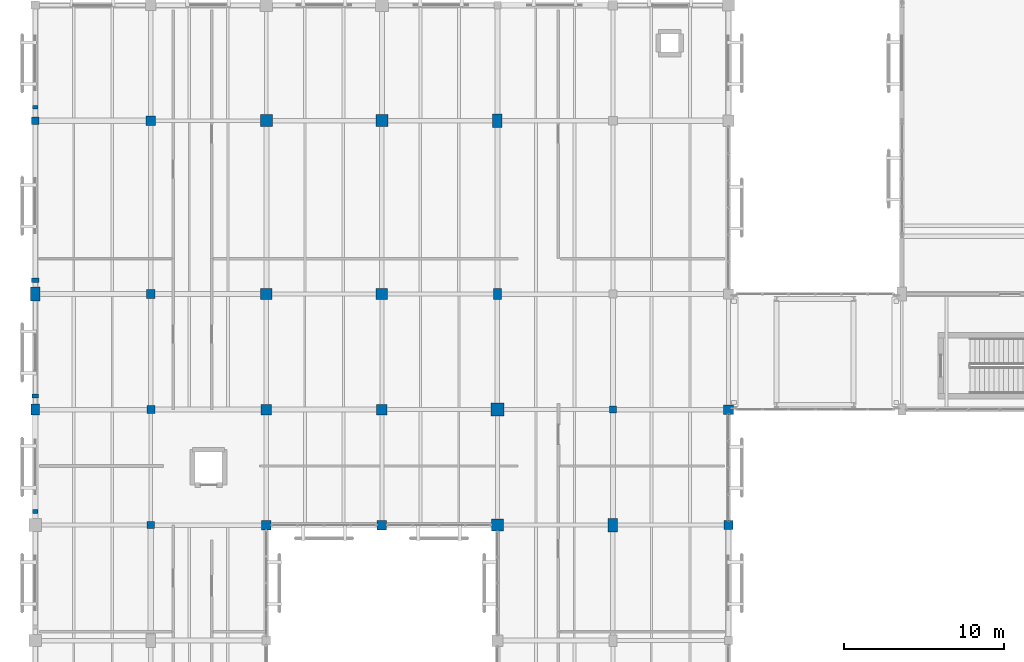
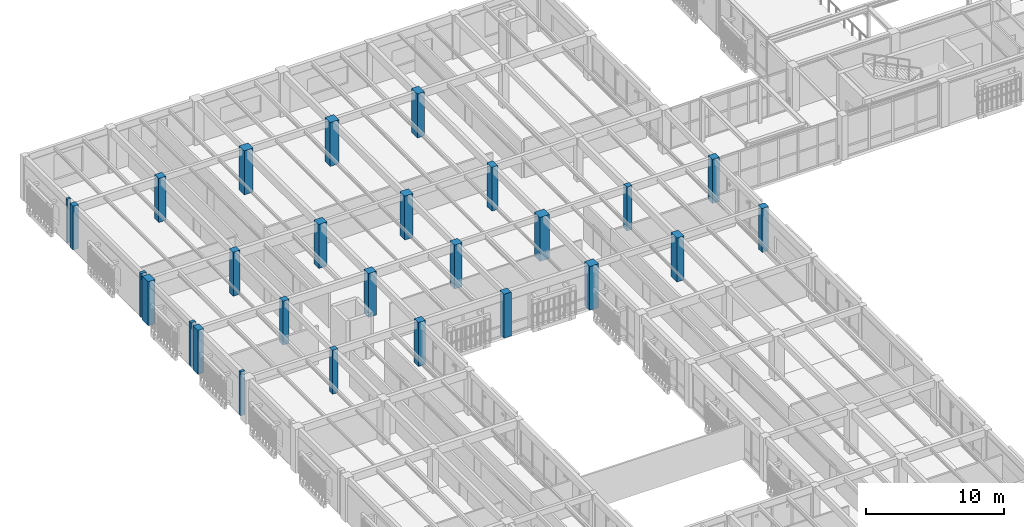
# One storey, part 7 of 170: 27 columns.
"""IFC4 building model written with IfcOpenShell, lengths in metres."""

from ifc_helpers import new_model, si_unit, direction, frame, origin, origin_2d, place, context, subcontext, project, spatial, rectangle, extrude, material, material_profile, profile_set, type_object, element, save


model = new_model("IFC4")

# Units and contexts
model_context = context("Model", 3, precision=1e-05, world=origin(), true_north=direction((0.0, 1.0)))
body_context = subcontext(model_context, "Body", "Model", "MODEL_VIEW")
ifc_project = project(units=[si_unit("LENGTHUNIT", "METRE"), si_unit("AREAUNIT", "SQUARE_METRE"), si_unit("VOLUMEUNIT", "CUBIC_METRE"), si_unit("PLANEANGLEUNIT", "RADIAN"), si_unit("MASSUNIT", "GRAM", prefix="KILO")], contexts=[model_context])

# Site, building, storey
site_placement = place(None, origin())
site = spatial("IfcSite", under=ifc_project, at=site_placement, CompositionType="ELEMENT")
building_placement = place(site_placement, origin())
building = spatial("IfcBuilding", under=site, at=building_placement, Name="Mazaris Harbour Polytechnic", CompositionType="ELEMENT")
storey_placement = place(building_placement, frame((0.0, 0.0, 5.39990234375)))
storey = spatial("IfcBuildingStorey", under=building, at=storey_placement, Name="L01", CompositionType="ELEMENT", Elevation=5.39990234375)

# Columns
ifc_material_1 = material(Name="Concrete C35/45", Category="concrete")
ifc_material_profile_1 = material_profile(ifc_material_1, rectangle(XDim=0.320068359375, YDim=0.219970703125, at=origin_2d()), Name="RECT320x220")
ifc_profile_set_1 = profile_set([ifc_material_profile_1], Name="Concrete C35/45")
column_type_1 = type_object("IfcColumnType", Name="Limestone Pilaster 320x220", PredefinedType="PILASTER", material=ifc_profile_set_1)
column_1_placement = place(storey_placement, frame((0.0, 94.449951171875, 0.0), z_axis=(0.0, 0.0, 1.0), x_axis=(1.0, 0.0, 0.0)))
element("IfcColumn", 1, at=column_1_placement, inside=storey, type_object=column_type_1, Name="V4 L01 Giant Order Pilaster 36", PredefinedType="PILASTER", context=body_context, shape_type="SweptSolid", body=[
    extrude(rectangle(XDim=0.320068359375, YDim=0.219970703125, at=origin_2d()), origin(), (0.0, 0.0, 1.0), 3.89013671875),
])
ifc_material_2 = material(Name="Concrete C35/45", Category="concrete")
ifc_material_profile_2 = material_profile(ifc_material_2, rectangle(XDim=0.360107421875, YDim=0.239990234375, at=origin_2d()), Name="RECT360x240")
ifc_profile_set_2 = profile_set([ifc_material_profile_2], Name="Concrete C35/45")
column_type_2 = type_object("IfcColumnType", Name="Limestone Pilaster 360x240", PredefinedType="PILASTER", material=ifc_profile_set_2)
column_2_placement = place(storey_placement, frame((0.0, 69.25, 0.0), z_axis=(0.0, 0.0, 1.0), x_axis=(1.0, 0.0, 0.0)))
element("IfcColumn", 2, at=column_2_placement, inside=storey, type_object=column_type_2, Name="V4 L01 Giant Order Pilaster 33", PredefinedType="PILASTER", context=body_context, shape_type="SweptSolid", body=[
    extrude(rectangle(XDim=0.360107421875, YDim=0.239990234375, at=origin_2d()), origin(), (0.0, 0.0, 1.0), 3.89013671875),
])
ifc_material_3 = material(Name="Concrete C35/45", Category="concrete")
ifc_material_profile_3 = material_profile(ifc_material_3, rectangle(XDim=0.39990234375, YDim=0.260009765625, at=origin_2d()), Name="RECT400x260")
ifc_profile_set_3 = profile_set([ifc_material_profile_3], Name="Concrete C35/45")
column_type_3 = type_object("IfcColumnType", Name="Limestone Pilaster 400x260", PredefinedType="PILASTER", material=ifc_profile_set_3)
column_3_placement = place(storey_placement, frame((0.0, 76.449951171875, 0.0), z_axis=(0.0, 0.0, 1.0), x_axis=(1.0, 0.0, 0.0)))
element("IfcColumn", 3, at=column_3_placement, inside=storey, type_object=column_type_3, Name="V4 L01 Giant Order Pilaster 34", PredefinedType="PILASTER", context=body_context, shape_type="SweptSolid", body=[
    extrude(rectangle(XDim=0.39990234375, YDim=0.260009765625, at=origin_2d()), origin(), (0.0, 0.0, 1.0), 3.89013671875),
])
ifc_material_4 = material(Name="Concrete C35/45", Category="concrete")
ifc_material_profile_4 = material_profile(ifc_material_4, rectangle(XDim=0.43994140625, YDim=0.280029296875, at=origin_2d()), Name="RECT440x280")
ifc_profile_set_4 = profile_set([ifc_material_profile_4], Name="Concrete C35/45")
column_type_4 = type_object("IfcColumnType", Name="Limestone Pilaster 440x280", PredefinedType="PILASTER", material=ifc_profile_set_4)
column_4_placement = place(storey_placement, frame((0.0, 83.64990234375, 0.0), z_axis=(0.0, 0.0, 1.0), x_axis=(1.0, 0.0, 0.0)))
element("IfcColumn", 4, at=column_4_placement, inside=storey, type_object=column_type_4, Name="V4 L01 Giant Order Pilaster 35", PredefinedType="PILASTER", context=body_context, shape_type="SweptSolid", body=[
    extrude(rectangle(XDim=0.43994140625, YDim=0.280029296875, at=origin_2d()), origin(), (0.0, 0.0, 1.0), 3.89013671875),
])
ifc_material_5 = material(Name="Concrete C40/50", Category="concrete")
ifc_material_profile_5 = material_profile(ifc_material_5, rectangle(XDim=0.449951171875, YDim=0.449951171875, at=origin_2d()), Name="RECT450x450")
ifc_profile_set_5 = profile_set([ifc_material_profile_5], Name="Concrete C40/50")
column_type_5 = type_object("IfcColumnType", Name="RC Column 450x450", PredefinedType="COLUMN", material=ifc_profile_set_5)
for number, where, z_axis, x_axis, name in (
    (5, (7.199951171875, 68.39990234375, 0.0), (0.0, 0.0, 1.0), (1.0, 0.0, 0.0), "V4 L01 Column 749"),
    (6, (36.0, 75.60009765625, 0.0), (0.0, 0.0, 1.0), (1.0, 0.0, 0.0), "V4 L01 Column 799"),
):
    element("IfcColumn", number, at=place(storey_placement, frame(where, z_axis=z_axis, x_axis=x_axis)), inside=storey, type_object=column_type_5, Name=name, PredefinedType="COLUMN", context=body_context, shape_type="SweptSolid", body=[
        extrude(rectangle(XDim=0.449951171875, YDim=0.449951171875, at=origin_2d()), origin(), (0.0, 0.0, 1.0), 3.89013671875),
    ])
ifc_material_6 = material(Name="Concrete C40/50", Category="concrete")
ifc_material_profile_6 = material_profile(ifc_material_6, rectangle(XDim=0.449951171875, YDim=0.449951171875, at=origin_2d()), Name="RECT450x450")
ifc_profile_set_6 = profile_set([ifc_material_profile_6], Name="Concrete C40/50")
column_type_6 = type_object("IfcColumnType", Name="RC Column 450x450 Exterior", PredefinedType="COLUMN", material=ifc_profile_set_6)
column_5_placement = place(storey_placement, frame((0.0, 93.60009765625, 0.0), z_axis=(0.0, 0.0, 1.0), x_axis=(1.0, 0.0, 0.0)))
element("IfcColumn", 7, at=column_5_placement, inside=storey, type_object=column_type_6, Name="V4 L01 Column 739", PredefinedType="COLUMN", context=body_context, shape_type="SweptSolid", body=[
    extrude(rectangle(XDim=0.449951171875, YDim=0.449951171875, at=origin_2d()), origin(), (0.0, 0.0, 1.0), 3.89013671875),
])
ifc_material_7 = material(Name="Concrete C40/50", Category="concrete")
ifc_material_profile_7 = material_profile(ifc_material_7, rectangle(XDim=0.5, YDim=0.5, at=origin_2d()), Name="RECT500x500")
ifc_profile_set_7 = profile_set([ifc_material_profile_7], Name="Concrete C40/50")
column_type_7 = type_object("IfcColumnType", Name="RC Column 500x500", PredefinedType="COLUMN", material=ifc_profile_set_7)
column_6_placement = place(storey_placement, frame((7.199951171875, 75.60009765625, 0.0), z_axis=(0.0, 0.0, 1.0), x_axis=(1.0, 0.0, 0.0)))
element("IfcColumn", 8, at=column_6_placement, inside=storey, type_object=column_type_7, Name="V4 L01 Column 750", PredefinedType="COLUMN", context=body_context, shape_type="SweptSolid", body=[
    extrude(rectangle(XDim=0.5, YDim=0.5, at=origin_2d()), origin(), (0.0, 0.0, 1.0), 3.89013671875),
])
ifc_material_8 = material(Name="Concrete C40/50", Category="concrete")
ifc_material_profile_8 = material_profile(ifc_material_8, rectangle(XDim=0.5, YDim=0.699951171875, at=origin_2d()), Name="RECT500x700")
ifc_profile_set_8 = profile_set([ifc_material_profile_8], Name="Concrete C40/50")
column_type_8 = type_object("IfcColumnType", Name="RC Column 500x700", PredefinedType="COLUMN", material=ifc_profile_set_8)
column_7_placement = place(storey_placement, frame((28.800048828125, 82.800048828125, 0.0), z_axis=(0.0, 0.0, 1.0), x_axis=(1.0, 0.0, 0.0)))
element("IfcColumn", 9, at=column_7_placement, inside=storey, type_object=column_type_8, Name="V4 L01 Column 787", PredefinedType="COLUMN", context=body_context, shape_type="SweptSolid", body=[
    extrude(rectangle(XDim=0.5, YDim=0.699951171875, at=origin_2d()), origin(), (0.0, 0.0, 1.0), 3.89013671875),
])
ifc_material_9 = material(Name="Concrete C40/50", Category="concrete")
ifc_material_profile_9 = material_profile(ifc_material_9, rectangle(XDim=0.5, YDim=0.699951171875, at=origin_2d()), Name="RECT500x700")
ifc_profile_set_9 = profile_set([ifc_material_profile_9], Name="Concrete C40/50")
column_type_9 = type_object("IfcColumnType", Name="RC Column 500x700 Exterior", PredefinedType="COLUMN", material=ifc_profile_set_9)
column_8_placement = place(storey_placement, frame((0.0, 75.60009765625, 0.0), z_axis=(0.0, 0.0, 1.0), x_axis=(1.0, 0.0, 0.0)))
element("IfcColumn", 10, at=column_8_placement, inside=storey, type_object=column_type_9, Name="V4 L01 Column 737", PredefinedType="COLUMN", context=body_context, shape_type="SweptSolid", body=[
    extrude(rectangle(XDim=0.5, YDim=0.699951171875, at=origin_2d()), origin(), (0.0, 0.0, 1.0), 3.89013671875),
])
ifc_material_10 = material(Name="Concrete C40/50", Category="concrete")
ifc_material_profile_10 = material_profile(ifc_material_10, rectangle(XDim=0.550048828125, YDim=0.550048828125, at=origin_2d()), Name="RECT550x550")
ifc_profile_set_10 = profile_set([ifc_material_profile_10], Name="Concrete C40/50")
column_type_10 = type_object("IfcColumnType", Name="RC Column 550x550", PredefinedType="COLUMN", material=ifc_profile_set_10)
column_9_placement = place(storey_placement, frame((7.199951171875, 82.800048828125, 0.0), z_axis=(0.0, 0.0, 1.0), x_axis=(1.0, 0.0, 0.0)))
element("IfcColumn", 11, at=column_9_placement, inside=storey, type_object=column_type_10, Name="V4 L01 Column 751", PredefinedType="COLUMN", context=body_context, shape_type="SweptSolid", body=[
    extrude(rectangle(XDim=0.550048828125, YDim=0.550048828125, at=origin_2d()), origin(), (0.0, 0.0, 1.0), 3.89013671875),
])
ifc_material_11 = material(Name="Concrete C40/50", Category="concrete")
ifc_material_profile_11 = material_profile(ifc_material_11, rectangle(XDim=0.550048828125, YDim=0.550048828125, at=origin_2d()), Name="RECT550x550")
ifc_profile_set_11 = profile_set([ifc_material_profile_11], Name="Concrete C40/50")
column_type_11 = type_object("IfcColumnType", Name="RC Column 550x550 Exterior", PredefinedType="COLUMN", material=ifc_profile_set_11)
column_10_placement = place(storey_placement, frame((43.199951171875, 68.39990234375, 0.0), z_axis=(0.0, 0.0, 1.0), x_axis=(1.0, 0.0, 0.0)))
element("IfcColumn", 12, at=column_10_placement, inside=storey, type_object=column_type_11, Name="V4 L01 Column 811", PredefinedType="COLUMN", context=body_context, shape_type="SweptSolid", body=[
    extrude(rectangle(XDim=0.550048828125, YDim=0.550048828125, at=origin_2d()), origin(), (0.0, 0.0, 1.0), 3.89013671875),
])
ifc_material_12 = material(Name="Concrete C40/50", Category="concrete")
ifc_material_profile_12 = material_profile(ifc_material_12, rectangle(XDim=0.60009765625, YDim=0.60009765625, at=origin_2d()), Name="RECT600x600")
ifc_profile_set_12 = profile_set([ifc_material_profile_12], Name="Concrete C40/50")
column_type_12 = type_object("IfcColumnType", Name="RC Column 600x600", PredefinedType="COLUMN", material=ifc_profile_set_12)
for number, where, z_axis, x_axis, name in (
    (13, (7.199951171875, 93.60009765625, 0.0), (0.0, 0.0, 1.0), (1.0, 0.0, 0.0), "V4 L01 Column 752"),
    (14, (14.39990234375, 68.39990234375, 0.0), (0.0, 0.0, 1.0), (1.0, 0.0, 0.0), "V4 L01 Column 762"),
    (15, (21.60009765625, 68.39990234375, 0.0), (0.0, 0.0, 1.0), (1.0, 0.0, 0.0), "V4 L01 Column 772"),
):
    element("IfcColumn", number, at=place(storey_placement, frame(where, z_axis=z_axis, x_axis=x_axis)), inside=storey, type_object=column_type_12, Name=name, PredefinedType="COLUMN", context=body_context, shape_type="SweptSolid", body=[
        extrude(rectangle(XDim=0.60009765625, YDim=0.60009765625, at=origin_2d()), origin(), (0.0, 0.0, 1.0), 3.89013671875),
    ])
ifc_material_13 = material(Name="Concrete C40/50", Category="concrete")
ifc_material_profile_13 = material_profile(ifc_material_13, rectangle(XDim=0.60009765625, YDim=0.60009765625, at=origin_2d()), Name="RECT600x600")
ifc_profile_set_13 = profile_set([ifc_material_profile_13], Name="Concrete C40/50")
column_type_13 = type_object("IfcColumnType", Name="RC Column 600x600 Exterior", PredefinedType="COLUMN", material=ifc_profile_set_13)
column_11_placement = place(storey_placement, frame((43.199951171875, 75.60009765625, 0.0), z_axis=(0.0, 0.0, 1.0), x_axis=(1.0, 0.0, 0.0)))
element("IfcColumn", 16, at=column_11_placement, inside=storey, type_object=column_type_13, Name="V4 L01 Column 812", PredefinedType="COLUMN", context=body_context, shape_type="SweptSolid", body=[
    extrude(rectangle(XDim=0.60009765625, YDim=0.60009765625, at=origin_2d()), origin(), (0.0, 0.0, 1.0), 3.89013671875),
])
ifc_material_14 = material(Name="Concrete C40/50", Category="concrete")
ifc_material_profile_14 = material_profile(ifc_material_14, rectangle(XDim=0.60009765625, YDim=0.85009765625, at=origin_2d()), Name="RECT600x850")
ifc_profile_set_14 = profile_set([ifc_material_profile_14], Name="Concrete C40/50")
column_type_14 = type_object("IfcColumnType", Name="RC Column 600x850", PredefinedType="COLUMN", material=ifc_profile_set_14)
for number, where, z_axis, x_axis, name in (
    (17, (28.800048828125, 93.60009765625, 0.0), (0.0, 0.0, 1.0), (1.0, 0.0, 0.0), "V4 L01 Column 788"),
    (18, (36.0, 68.39990234375, 0.0), (0.0, 0.0, 1.0), (1.0, 0.0, 0.0), "V4 L01 Column 798"),
):
    element("IfcColumn", number, at=place(storey_placement, frame(where, z_axis=z_axis, x_axis=x_axis)), inside=storey, type_object=column_type_14, Name=name, PredefinedType="COLUMN", context=body_context, shape_type="SweptSolid", body=[
        extrude(rectangle(XDim=0.60009765625, YDim=0.85009765625, at=origin_2d()), origin(), (0.0, 0.0, 1.0), 3.89013671875),
    ])
ifc_material_15 = material(Name="Concrete C40/50", Category="concrete")
ifc_material_profile_15 = material_profile(ifc_material_15, rectangle(XDim=0.60009765625, YDim=0.85009765625, at=origin_2d()), Name="RECT600x850")
ifc_profile_set_15 = profile_set([ifc_material_profile_15], Name="Concrete C40/50")
column_type_15 = type_object("IfcColumnType", Name="RC Column 600x850 Exterior", PredefinedType="COLUMN", material=ifc_profile_set_15)
column_12_placement = place(storey_placement, frame((0.0, 82.800048828125, 0.0), z_axis=(0.0, 0.0, 1.0), x_axis=(1.0, 0.0, 0.0)))
element("IfcColumn", 19, at=column_12_placement, inside=storey, type_object=column_type_15, Name="V4 L01 Column 738", PredefinedType="COLUMN", context=body_context, shape_type="SweptSolid", body=[
    extrude(rectangle(XDim=0.60009765625, YDim=0.85009765625, at=origin_2d()), origin(), (0.0, 0.0, 1.0), 3.89013671875),
])
ifc_material_16 = material(Name="Concrete C40/50", Category="concrete")
ifc_material_profile_16 = material_profile(ifc_material_16, rectangle(XDim=0.64990234375, YDim=0.64990234375, at=origin_2d()), Name="RECT650x650")
ifc_profile_set_16 = profile_set([ifc_material_profile_16], Name="Concrete C40/50")
column_type_16 = type_object("IfcColumnType", Name="RC Column 650x650", PredefinedType="COLUMN", material=ifc_profile_set_16)
for number, where, z_axis, x_axis, name in (
    (20, (14.39990234375, 75.60009765625, 0.0), (0.0, 0.0, 1.0), (1.0, 0.0, 0.0), "V4 L01 Column 763"),
    (21, (21.60009765625, 75.60009765625, 0.0), (0.0, 0.0, 1.0), (1.0, 0.0, 0.0), "V4 L01 Column 773"),
):
    element("IfcColumn", number, at=place(storey_placement, frame(where, z_axis=z_axis, x_axis=x_axis)), inside=storey, type_object=column_type_16, Name=name, PredefinedType="COLUMN", context=body_context, shape_type="SweptSolid", body=[
        extrude(rectangle(XDim=0.64990234375, YDim=0.64990234375, at=origin_2d()), origin(), (0.0, 0.0, 1.0), 3.89013671875),
    ])
ifc_material_17 = material(Name="Concrete C40/50", Category="concrete")
ifc_material_profile_17 = material_profile(ifc_material_17, rectangle(XDim=0.699951171875, YDim=0.699951171875, at=origin_2d()), Name="RECT700x700")
ifc_profile_set_17 = profile_set([ifc_material_profile_17], Name="Concrete C40/50")
column_type_17 = type_object("IfcColumnType", Name="RC Column 700x700", PredefinedType="COLUMN", material=ifc_profile_set_17)
for number, where, z_axis, x_axis, name in (
    (22, (14.39990234375, 82.800048828125, 0.0), (0.0, 0.0, 1.0), (1.0, 0.0, 0.0), "V4 L01 Column 764"),
    (23, (21.60009765625, 82.800048828125, 0.0), (0.0, 0.0, 1.0), (1.0, 0.0, 0.0), "V4 L01 Column 774"),
):
    element("IfcColumn", number, at=place(storey_placement, frame(where, z_axis=z_axis, x_axis=x_axis)), inside=storey, type_object=column_type_17, Name=name, PredefinedType="COLUMN", context=body_context, shape_type="SweptSolid", body=[
        extrude(rectangle(XDim=0.699951171875, YDim=0.699951171875, at=origin_2d()), origin(), (0.0, 0.0, 1.0), 3.89013671875),
    ])
ifc_material_18 = material(Name="Concrete C40/50", Category="concrete")
ifc_material_profile_18 = material_profile(ifc_material_18, rectangle(XDim=0.75, YDim=0.75, at=origin_2d()), Name="RECT750x750")
ifc_profile_set_18 = profile_set([ifc_material_profile_18], Name="Concrete C40/50")
column_type_18 = type_object("IfcColumnType", Name="RC Column 750x750", PredefinedType="COLUMN", material=ifc_profile_set_18)
for number, where, z_axis, x_axis, name in (
    (24, (14.39990234375, 93.60009765625, 0.0), (0.0, 0.0, 1.0), (1.0, 0.0, 0.0), "V4 L01 Column 765"),
    (25, (21.60009765625, 93.60009765625, 0.0), (0.0, 0.0, 1.0), (1.0, 0.0, 0.0), "V4 L01 Column 775"),
    (26, (28.800048828125, 68.39990234375, 0.0), (0.0, 0.0, 1.0), (1.0, 0.0, 0.0), "V4 L01 Column 785"),
):
    element("IfcColumn", number, at=place(storey_placement, frame(where, z_axis=z_axis, x_axis=x_axis)), inside=storey, type_object=column_type_18, Name=name, PredefinedType="COLUMN", context=body_context, shape_type="SweptSolid", body=[
        extrude(rectangle(XDim=0.75, YDim=0.75, at=origin_2d()), origin(), (0.0, 0.0, 1.0), 3.89013671875),
    ])
ifc_material_19 = material(Name="Concrete C40/50", Category="concrete")
ifc_material_profile_19 = material_profile(ifc_material_19, rectangle(XDim=0.800048828125, YDim=0.800048828125, at=origin_2d()), Name="RECT800x800")
ifc_profile_set_19 = profile_set([ifc_material_profile_19], Name="Concrete C40/50")
column_type_19 = type_object("IfcColumnType", Name="RC Column 800x800", PredefinedType="COLUMN", material=ifc_profile_set_19)
column_13_placement = place(storey_placement, frame((28.800048828125, 75.60009765625, 0.0), z_axis=(0.0, 0.0, 1.0), x_axis=(1.0, 0.0, 0.0)))
element("IfcColumn", 27, at=column_13_placement, inside=storey, type_object=column_type_19, Name="V4 L01 Column 786", PredefinedType="COLUMN", context=body_context, shape_type="SweptSolid", body=[
    extrude(rectangle(XDim=0.800048828125, YDim=0.800048828125, at=origin_2d()), origin(), (0.0, 0.0, 1.0), 3.89013671875),
])

save(model, "model.ifc")
